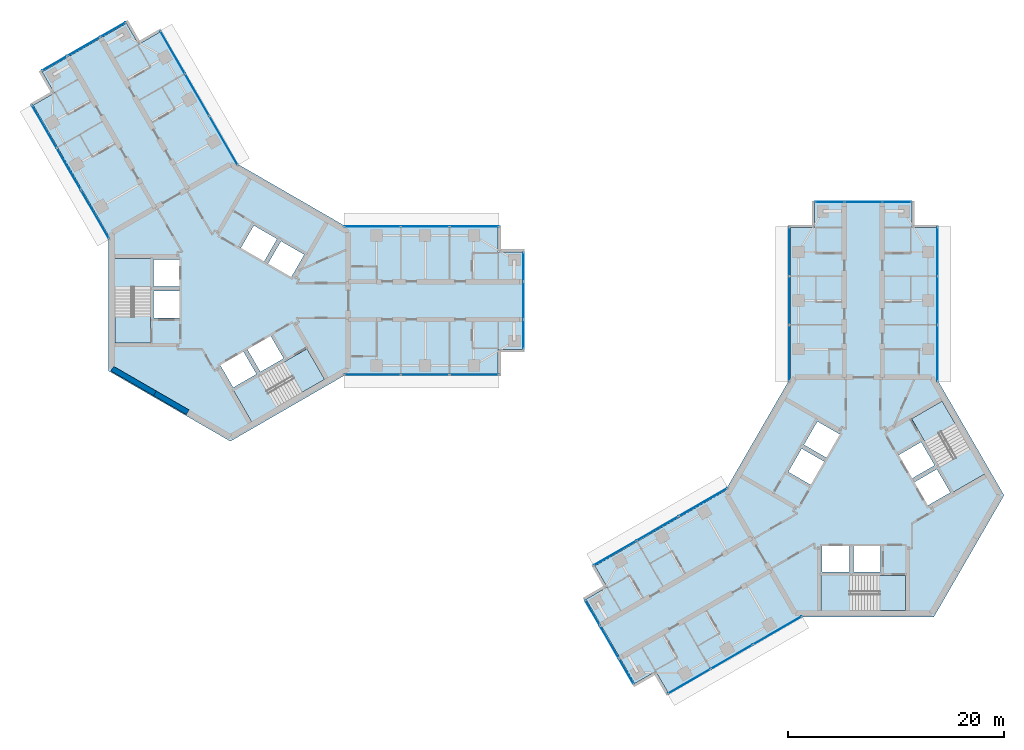
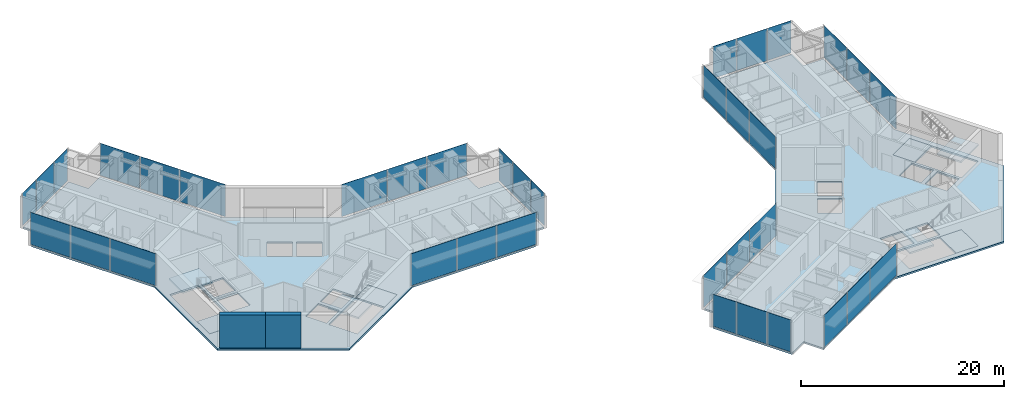
# One storey, part 10 of 18: 36 plates, 10 slabs, 2 walls, 16 elements without a shape of their own.
"""IFC4 building model written with IfcOpenShell, lengths in metres."""

import ifcopenshell
import ifcopenshell.guid

model = None  # the IFC model being written
_history = None  # IfcOwnerHistory: only IFC2X3 demands one
_inside = {}  # id of a spatial element -> (the spatial element, [elements in it])
_under = {}  # id of a project, library or spatial element -> (it, [spatial elements below it])
_declared = {}  # id of a project -> (the project, [libraries it declares])
_typed = {}  # id of a type object -> (the type object, [elements of that type])
_made_of = {}  # id of a material, layer set ... -> (it, [elements and type objects made of it])


def new_model(schema):
    """Start an empty IFC model of exactly this schema.

    Asked for "IFC4X3", IfcOpenShell would pick the latest addendum, in which some entities
    have other attributes; the version numbers below select the first issue.
    IFC2X3 requires an IfcOwnerHistory on every rooted entity: one is made here for all.
    """
    global model, _history
    if schema == "IFC4X3":
        model = ifcopenshell.file(schema_version=(4, 3, 0, 0))
    else:
        model = ifcopenshell.file(schema=schema)
    _inside.clear()
    _under.clear()
    _declared.clear()
    _typed.clear()
    _made_of.clear()
    _history = None
    if model.schema == "IFC2X3":
        org = make("IfcOrganization", Name="unknown")
        user = make(
            "IfcPersonAndOrganization",
            ThePerson=make("IfcPerson", FamilyName="unknown"),
            TheOrganization=org,
        )
        app = make(
            "IfcApplication",
            ApplicationDeveloper=org,
            Version="unknown",
            ApplicationFullName="unknown",
            ApplicationIdentifier="unknown",
        )
        _history = make(
            "IfcOwnerHistory",
            OwningUser=user,
            OwningApplication=app,
            ChangeAction="ADDED",
            CreationDate=0,
        )
    return model


def make(cls, **values):
    """One entity of the class cls with the attributes given. An attribute that is None is left unset."""
    return model.create_entity(
        cls, **{name: value for name, value in values.items() if value is not None}
    )


def rooted(cls, **values):
    """An entity with a GlobalId (a new one), such as an element, a storey or a relation."""
    return make(cls, GlobalId=ifcopenshell.guid.new(), OwnerHistory=_history, **values)


def si_unit(unit_type, name, prefix=None):
    """IfcSIUnit, for example si_unit("LENGTHUNIT", "METRE", prefix="MILLI")."""
    return make("IfcSIUnit", UnitType=unit_type, Prefix=prefix, Name=name)


def assignment(units):
    """IfcUnitAssignment: the units of a project."""
    return None if units is None else make("IfcUnitAssignment", Units=units)


def point(xyz):
    """IfcCartesianPoint."""
    return None if xyz is None else make("IfcCartesianPoint", Coordinates=xyz)


def direction(xyz):
    """IfcDirection."""
    return None if xyz is None else make("IfcDirection", DirectionRatios=xyz)


def frame(location, z_axis=None, x_axis=None):
    """IfcAxis2Placement3D, a coordinate frame: its origin and axes. An axis left out is left unset."""
    return make(
        "IfcAxis2Placement3D",
        Location=point(location),
        Axis=direction(z_axis),
        RefDirection=direction(x_axis),
    )


def frame_2d(location, x_axis=None):
    """IfcAxis2Placement2D, a coordinate frame in the plane: its origin and x axis."""
    return make(
        "IfcAxis2Placement2D", Location=point(location), RefDirection=direction(x_axis)
    )


def origin():
    """The frame at (0, 0, 0) with its axes left unset."""
    return frame((0.0, 0.0, 0.0))


def origin_2d():
    """The frame at (0, 0) in the plane with its x axis left unset."""
    return frame_2d((0.0, 0.0))


def place(relative_to, where):
    """IfcLocalPlacement: puts the frame where relative to a parent placement (None: the world)."""
    return make(
        "IfcLocalPlacement", PlacementRelTo=relative_to, RelativePlacement=where
    )


def context(
    kind, dimensions, precision=None, world=None, true_north=None, identifier=None
):
    """IfcGeometricRepresentationContext, for example the 3D "Model" context."""
    return make(
        "IfcGeometricRepresentationContext",
        ContextIdentifier=identifier,
        ContextType=kind,
        CoordinateSpaceDimension=dimensions,
        Precision=precision,
        WorldCoordinateSystem=world,
        TrueNorth=true_north,
    )


def subcontext(parent, identifier, kind, view, scale=None):
    """IfcGeometricRepresentationSubContext, for example "Body" below "Model"."""
    return make(
        "IfcGeometricRepresentationSubContext",
        ContextIdentifier=identifier,
        ContextType=kind,
        ParentContext=parent,
        TargetScale=scale,
        TargetView=view,
    )


def project(units=None, contexts=None):
    """IfcProject with its units and contexts."""
    return rooted(
        "IfcProject",
        Name="project",
        RepresentationContexts=contexts,
        UnitsInContext=assignment(units),
    )


def spatial(cls, under=None, at=None, **own):
    """A site, building, storey or space (cls), placed at a placement, below another one or the project."""
    s = rooted(cls, ObjectPlacement=at, **own)
    if under is not None:
        _under.setdefault(under.id(), (under, []))[1].append(s)
    return s


def polyline(points):
    """IfcPolyline through the points."""
    return make("IfcPolyline", Points=[point(p) for p in points])


def profile(cls, at=None, kind="AREA", **sizes):
    """A parametric profile (cls). Its sizes go by their IFC names, for example OverallWidth=200.0."""
    return make(cls, ProfileType=kind, Position=at, **sizes)


def rectangle(**sizes):
    """IfcRectangleProfileDef."""
    return profile("IfcRectangleProfileDef", **sizes)


def outline(outer, holes=None, kind="AREA"):
    """IfcArbitraryClosedProfileDef: a profile drawn as a closed curve; with holes, ...WithVoids."""
    if holes is None:
        return make("IfcArbitraryClosedProfileDef", ProfileType=kind, OuterCurve=outer)
    return make(
        "IfcArbitraryProfileDefWithVoids",
        ProfileType=kind,
        OuterCurve=outer,
        InnerCurves=holes,
    )


def extrude(swept, where, along, depth):
    """IfcExtrudedAreaSolid: the profile swept, set in the frame where, extruded along a direction by depth."""
    return make(
        "IfcExtrudedAreaSolid",
        SweptArea=swept,
        Position=where,
        ExtrudedDirection=direction(along),
        Depth=depth,
    )


def shape(context_of_items, identifier, shape_type, items):
    """IfcShapeRepresentation: the items that make up one representation, for example the "Body"."""
    return make(
        "IfcShapeRepresentation",
        ContextOfItems=context_of_items,
        RepresentationIdentifier=identifier,
        RepresentationType=shape_type,
        Items=items,
    )


def material(Name=None, Category=None):
    """IfcMaterial."""
    return make("IfcMaterial", Name=Name, Category=Category)


def layer(
    of_material, thickness, ventilated=None, Name=None, Category=None, Priority=None
):
    """IfcMaterialLayer: one layer of a wall or slab, of a material (None: an air gap)."""
    return make(
        "IfcMaterialLayer",
        Material=of_material,
        LayerThickness=thickness,
        IsVentilated=ventilated,
        Name=Name,
        Category=Category,
        Priority=Priority,
    )


def layer_set(layers, Name=None):
    """IfcMaterialLayerSet."""
    return make("IfcMaterialLayerSet", MaterialLayers=layers, LayerSetName=Name)


def made_of(thing, what):
    """Note that an element or type object is made of a material, layer set ...; save() writes the relation."""
    if what is not None:
        _made_of.setdefault(what.id(), (what, []))[1].append(thing)
    return thing


def type_object(cls, material=None, **own):
    """A type object (cls), such as IfcWallType, which elements share."""
    return made_of(rooted(cls, **own), material)


def element(
    cls,
    number,
    at=None,
    inside=None,
    cuts=None,
    type_object=None,
    material=None,
    context=None,
    identifier="Body",
    shape_type=None,
    held_by="IfcProductDefinitionShape",
    body=None,
    shapes=None,
    **own,
):
    """One element of the class cls, such as IfcWall. Its Tag is "e" and its number.

    at: its placement. inside: the storey or other place that contains it. cuts: it is an
    opening in that element (IfcRelVoidsElement). A single representation is given by context,
    identifier, shape_type and body (its items); several are given by shapes. held_by: the class
    of the entity that holds the representations. save() writes the other relations.
    """
    e = rooted(cls, Tag="e%d" % number, ObjectPlacement=at, **own)
    if body is not None:
        shapes = [shape(context, identifier, shape_type, body)]
    if shapes is not None:
        e.Representation = make(held_by, Representations=shapes)
    if inside is not None:
        _inside.setdefault(inside.id(), (inside, []))[1].append(e)
    if cuts is not None:
        rooted(
            "IfcRelVoidsElement", RelatingBuildingElement=cuts, RelatedOpeningElement=e
        )
    if type_object is not None:
        _typed.setdefault(type_object.id(), (type_object, []))[1].append(e)
    return made_of(e, material)


def aggregate(whole, parts):
    """IfcRelAggregates: a whole, such as a stair, and the parts it consists of."""
    return rooted("IfcRelAggregates", RelatingObject=whole, RelatedObjects=parts)


def save(model, path):
    """Write the relations noted so far, then the file.

    IfcRelAggregates (storeys below a building ...), IfcRelContainedInSpatialStructure (elements
    in a storey), IfcRelDefinesByType, IfcRelAssociatesMaterial and IfcRelDeclares: one each for
    every whole, place, type object, material and project.
    """
    for whole, parts in _under.values():
        aggregate(whole, parts)
    for where, things in _inside.values():
        rooted(
            "IfcRelContainedInSpatialStructure",
            RelatedElements=things,
            RelatingStructure=where,
        )
    for kind, things in _typed.values():
        rooted("IfcRelDefinesByType", RelatedObjects=things, RelatingType=kind)
    for what, things in _made_of.values():
        rooted("IfcRelAssociatesMaterial", RelatedObjects=things, RelatingMaterial=what)
    for by, libraries in _declared.values():
        rooted("IfcRelDeclares", RelatingContext=by, RelatedDefinitions=libraries)
    model.write(path)


model = new_model("IFC4")

# Units and contexts
model_context = context("Model", 3, precision=1e-05, world=origin(), true_north=direction((0.0, 1.0)))
body_context = subcontext(model_context, "Body", "Model", "MODEL_VIEW")
ifc_project = project(units=[si_unit("LENGTHUNIT", "METRE"), si_unit("AREAUNIT", "SQUARE_METRE"), si_unit("VOLUMEUNIT", "CUBIC_METRE"), si_unit("PLANEANGLEUNIT", "RADIAN"), si_unit("MASSUNIT", "GRAM", prefix="KILO")], contexts=[model_context])

# Site, building, storey
site_placement = place(None, origin())
site = spatial("IfcSite", under=ifc_project, at=site_placement, CompositionType="ELEMENT")
building_placement = place(site_placement, origin())
building = spatial("IfcBuilding", under=site, at=building_placement, Name="Upepo Twin Towers", CompositionType="ELEMENT")
storey_placement = place(building_placement, frame((0.0, 0.0, 218.5)))
storey = spatial("IfcBuildingStorey", under=building, at=storey_placement, Name="L53", CompositionType="ELEMENT", Elevation=218.5)

# Curtain wall, plates
ifc_material_1 = material(Name="Aluminium and fritted glass", Category="aluminium")
curtain_wall_type = type_object("IfcCurtainWallType", Name="Tower curtain wall TW3, fritted glass", PredefinedType="NOTDEFINED", material=ifc_material_1)
curtain_wall_1_placement = place(storey_placement, origin())
curtain_wall_1 = element("IfcCurtainWall", 1, at=curtain_wall_1_placement, inside=storey, type_object=curtain_wall_type, Name="T1 L53 wing A flank L curtain wall", PredefinedType="NOTDEFINED")
ifc_material_2 = material(Name="Ceramic-fritted laminated glass", Category="glass")
ifc_layer_1 = layer(ifc_material_2, 0.031982421875)
ifc_layer_set_1 = layer_set([ifc_layer_1], Name="Fritted glass panel, 60 per cent dot frit, 32 mm double glazed")
plate_type_1 = type_object("IfcPlateType", Name="Fritted glass panel, 60 per cent dot frit, 32 mm double glazed", PredefinedType="CURTAIN_PANEL", material=ifc_layer_set_1)
plate_1_placement = place(storey_placement, frame((13.134765625, 6.85009765625, 0.14990234375), z_axis=(0.0, 0.0, 1.0), x_axis=(1.0, 0.0, 0.0)))
plate_1 = element("IfcPlate", 2, at=plate_1_placement, type_object=plate_type_1, Name="T1 L53 wing A flank L curtain wall panel 1", PredefinedType="CURTAIN_PANEL", context=body_context, shape_type="SweptSolid", body=[
    extrude(rectangle(XDim=5.165283203125, YDim=0.031982421875, at=origin_2d()), origin(), (0.0, 0.0, 1.0), 3.85009765625),
])
plate_2_placement = place(storey_placement, frame((18.0, 6.85009765625, 0.14990234375), z_axis=(0.0, 0.0, 1.0), x_axis=(1.0, 0.0, 0.0)))
plate_2 = element("IfcPlate", 3, at=plate_2_placement, type_object=plate_type_1, Name="T1 L53 wing A flank L curtain wall panel 2", PredefinedType="CURTAIN_PANEL", context=body_context, shape_type="SweptSolid", body=[
    extrude(rectangle(XDim=4.43505859375, YDim=0.031982421875, at=origin_2d()), origin(), (0.0, 0.0, 1.0), 3.85009765625),
])
plate_3_placement = place(storey_placement, frame((22.53369140625, 6.85009765625, 0.14990234375), z_axis=(0.0, 0.0, 1.0), x_axis=(1.0, 0.0, 0.0)))
plate_3 = element("IfcPlate", 4, at=plate_3_placement, type_object=plate_type_1, Name="T1 L53 wing A flank L curtain wall panel 3", PredefinedType="CURTAIN_PANEL", context=body_context, shape_type="SweptSolid", body=[
    extrude(rectangle(XDim=4.50244140625, YDim=0.031982421875, at=origin_2d()), origin(), (0.0, 0.0, 1.0), 3.85009765625),
])
aggregate(curtain_wall_1, [plate_1, plate_2, plate_3])

curtain_wall_2_placement = place(storey_placement, origin())
curtain_wall_2 = element("IfcCurtainWall", 5, at=curtain_wall_2_placement, inside=storey, type_object=curtain_wall_type, Name="T1 L53 wing A flank R curtain wall", PredefinedType="NOTDEFINED")
plate_4_placement = place(storey_placement, frame((22.53369140625, -6.85009765625, 0.14990234375), z_axis=(0.0, 0.0, 1.0), x_axis=(-1.0, 0.0, 0.0)))
plate_4 = element("IfcPlate", 6, at=plate_4_placement, type_object=plate_type_1, Name="T1 L53 wing A flank R curtain wall panel 1", PredefinedType="CURTAIN_PANEL", context=body_context, shape_type="SweptSolid", body=[
    extrude(rectangle(XDim=4.50244140625, YDim=0.031982421875, at=origin_2d()), origin(), (0.0, 0.0, 1.0), 3.85009765625),
])
plate_5_placement = place(storey_placement, frame((18.0, -6.85009765625, 0.14990234375), z_axis=(0.0, 0.0, 1.0), x_axis=(-1.0, 0.0, 0.0)))
plate_5 = element("IfcPlate", 7, at=plate_5_placement, type_object=plate_type_1, Name="T1 L53 wing A flank R curtain wall panel 2", PredefinedType="CURTAIN_PANEL", context=body_context, shape_type="SweptSolid", body=[
    extrude(rectangle(XDim=4.43505859375, YDim=0.031982421875, at=origin_2d()), origin(), (0.0, 0.0, 1.0), 3.85009765625),
])
plate_6_placement = place(storey_placement, frame((13.134765625, -6.85009765625, 0.14990234375), z_axis=(0.0, 0.0, 1.0), x_axis=(-1.0, 0.0, 0.0)))
plate_6 = element("IfcPlate", 8, at=plate_6_placement, type_object=plate_type_1, Name="T1 L53 wing A flank R curtain wall panel 3", PredefinedType="CURTAIN_PANEL", context=body_context, shape_type="SweptSolid", body=[
    extrude(rectangle(XDim=5.165283203125, YDim=0.031982421875, at=origin_2d()), origin(), (0.0, 0.0, 1.0), 3.85009765625),
])
aggregate(curtain_wall_2, [plate_4, plate_5, plate_6])

# Curtain wall, plate
curtain_wall_3_placement = place(storey_placement, origin())
curtain_wall_3 = element("IfcCurtainWall", 9, at=curtain_wall_3_placement, inside=storey, type_object=curtain_wall_type, Name="T1 L53 wing A nose curtain wall", PredefinedType="NOTDEFINED")
plate_7_placement = place(storey_placement, frame((27.10009765625, 0.0, 0.14990234375), z_axis=(0.0, 0.0, 1.0), x_axis=(0.0, 1.0, 0.0)))
plate_7 = element("IfcPlate", 10, at=plate_7_placement, type_object=plate_type_1, Name="T1 L53 wing A nose curtain wall panel 2", PredefinedType="CURTAIN_PANEL", context=body_context, shape_type="SweptSolid", body=[
    extrude(rectangle(XDim=3.43505859375, YDim=0.031982421875, at=origin_2d()), origin(), (0.0, 0.0, 1.0), 3.85009765625),
])

# Curtain wall, plates
curtain_wall_4_placement = place(storey_placement, origin())
curtain_wall_4 = element("IfcCurtainWall", 11, at=curtain_wall_4_placement, inside=storey, type_object=curtain_wall_type, Name="T1 L53 wing B flank L curtain wall", PredefinedType="NOTDEFINED")
plate_8_placement = place(storey_placement, frame((-12.499755859375, 7.9501953125, 0.14990234375), z_axis=(0.0, 0.0, 1.0), x_axis=(-0.500000026527, 0.866025388469, 0.0)))
plate_8 = element("IfcPlate", 12, at=plate_8_placement, type_object=plate_type_1, Name="T1 L53 wing B flank L curtain wall panel 1", PredefinedType="CURTAIN_PANEL", context=body_context, shape_type="SweptSolid", body=[
    extrude(rectangle(XDim=5.165283203125, YDim=0.031982421875, at=origin_2d()), origin(), (0.0, 0.0, 1.0), 3.85009765625),
])
plate_9_placement = place(storey_placement, frame((-14.932373046875, 12.16357421875, 0.14990234375), z_axis=(0.0, 0.0, 1.0), x_axis=(-0.500000026527, 0.866025388469, 0.0)))
plate_9 = element("IfcPlate", 13, at=plate_9_placement, type_object=plate_type_1, Name="T1 L53 wing B flank L curtain wall panel 2", PredefinedType="CURTAIN_PANEL", context=body_context, shape_type="SweptSolid", body=[
    extrude(rectangle(XDim=4.43505859375, YDim=0.031982421875, at=origin_2d()), origin(), (0.0, 0.0, 1.0), 3.85009765625),
])
plate_10_placement = place(storey_placement, frame((-17.19921875, 16.08984375, 0.14990234375), z_axis=(0.0, 0.0, 1.0), x_axis=(-0.500000026527, 0.866025388469, 0.0)))
plate_10 = element("IfcPlate", 14, at=plate_10_placement, type_object=plate_type_1, Name="T1 L53 wing B flank L curtain wall panel 3", PredefinedType="CURTAIN_PANEL", context=body_context, shape_type="SweptSolid", body=[
    extrude(rectangle(XDim=4.50244140625, YDim=0.031982421875, at=origin_2d()), origin(), (0.0, 0.0, 1.0), 3.85009765625),
])
aggregate(curtain_wall_4, [plate_8, plate_9, plate_10])

curtain_wall_5_placement = place(storey_placement, origin())
curtain_wall_5 = element("IfcCurtainWall", 15, at=curtain_wall_5_placement, inside=storey, type_object=curtain_wall_type, Name="T1 L53 wing B flank R curtain wall", PredefinedType="NOTDEFINED")
plate_11_placement = place(storey_placement, frame((-5.334716796875, 22.939697265625, 0.14990234375), z_axis=(0.0, 0.0, 1.0), x_axis=(0.500000026527, -0.866025388469, 0.0)))
plate_11 = element("IfcPlate", 16, at=plate_11_placement, type_object=plate_type_1, Name="T1 L53 wing B flank R curtain wall panel 1", PredefinedType="CURTAIN_PANEL", context=body_context, shape_type="SweptSolid", body=[
    extrude(rectangle(XDim=4.50244140625, YDim=0.031982421875, at=origin_2d()), origin(), (0.0, 0.0, 1.0), 3.85009765625),
])
plate_12_placement = place(storey_placement, frame((-3.067626953125, 19.013427734375, 0.14990234375), z_axis=(0.0, 0.0, 1.0), x_axis=(0.500000026527, -0.866025388469, 0.0)))
plate_12 = element("IfcPlate", 17, at=plate_12_placement, type_object=plate_type_1, Name="T1 L53 wing B flank R curtain wall panel 2", PredefinedType="CURTAIN_PANEL", context=body_context, shape_type="SweptSolid", body=[
    extrude(rectangle(XDim=4.43505859375, YDim=0.031982421875, at=origin_2d()), origin(), (0.0, 0.0, 1.0), 3.85009765625),
])
plate_13_placement = place(storey_placement, frame((-0.635009765625, 14.800048828125, 0.14990234375), z_axis=(0.0, 0.0, 1.0), x_axis=(0.500000026527, -0.866025388469, 0.0)))
plate_13 = element("IfcPlate", 18, at=plate_13_placement, type_object=plate_type_1, Name="T1 L53 wing B flank R curtain wall panel 3", PredefinedType="CURTAIN_PANEL", context=body_context, shape_type="SweptSolid", body=[
    extrude(rectangle(XDim=5.165283203125, YDim=0.031982421875, at=origin_2d()), origin(), (0.0, 0.0, 1.0), 3.85009765625),
])
aggregate(curtain_wall_5, [plate_11, plate_12, plate_13])

# Curtain wall, plate
curtain_wall_6_placement = place(storey_placement, origin())
curtain_wall_6 = element("IfcCurtainWall", 19, at=curtain_wall_6_placement, inside=storey, type_object=curtain_wall_type, Name="T1 L53 wing B nose curtain wall", PredefinedType="NOTDEFINED")
plate_14_placement = place(storey_placement, frame((-13.550048828125, 23.46923828125, 0.14990234375), z_axis=(0.0, 0.0, 1.0), x_axis=(-0.866025386174, -0.500000030502, 0.0)))
plate_14 = element("IfcPlate", 20, at=plate_14_placement, type_object=plate_type_1, Name="T1 L53 wing B nose curtain wall panel 2", PredefinedType="CURTAIN_PANEL", context=body_context, shape_type="SweptSolid", body=[
    extrude(rectangle(XDim=3.43505859375, YDim=0.031982421875, at=origin_2d()), origin(), (0.0, 0.0, 1.0), 3.85009765625),
])

# Curtain wall, plates
curtain_wall_7_placement = place(storey_placement, origin())
curtain_wall_7 = element("IfcCurtainWall", 21, at=curtain_wall_7_placement, inside=storey, type_object=curtain_wall_type, Name="T2 L53 wing A flank L curtain wall", PredefinedType="NOTDEFINED")
plate_15_placement = place(storey_placement, frame((51.64990234375, -4.865234375, 0.14990234375), z_axis=(0.0, 0.0, 1.0), x_axis=(0.0, 1.0, 0.0)))
plate_15 = element("IfcPlate", 22, at=plate_15_placement, type_object=plate_type_1, Name="T2 L53 wing A flank L curtain wall panel 1", PredefinedType="CURTAIN_PANEL", context=body_context, shape_type="SweptSolid", body=[
    extrude(rectangle(XDim=5.165283203125, YDim=0.031982421875, at=origin_2d()), origin(), (0.0, 0.0, 1.0), 3.85009765625),
])
plate_16_placement = place(storey_placement, frame((51.64990234375, 0.0, 0.14990234375), z_axis=(0.0, 0.0, 1.0), x_axis=(0.0, 1.0, 0.0)))
plate_16 = element("IfcPlate", 23, at=plate_16_placement, type_object=plate_type_1, Name="T2 L53 wing A flank L curtain wall panel 2", PredefinedType="CURTAIN_PANEL", context=body_context, shape_type="SweptSolid", body=[
    extrude(rectangle(XDim=4.43505859375, YDim=0.031982421875, at=origin_2d()), origin(), (0.0, 0.0, 1.0), 3.85009765625),
])
plate_17_placement = place(storey_placement, frame((51.64990234375, 4.53369140625, 0.14990234375), z_axis=(0.0, 0.0, 1.0), x_axis=(0.0, 1.0, 0.0)))
plate_17 = element("IfcPlate", 24, at=plate_17_placement, type_object=plate_type_1, Name="T2 L53 wing A flank L curtain wall panel 3", PredefinedType="CURTAIN_PANEL", context=body_context, shape_type="SweptSolid", body=[
    extrude(rectangle(XDim=4.50244140625, YDim=0.031982421875, at=origin_2d()), origin(), (0.0, 0.0, 1.0), 3.85009765625),
])
aggregate(curtain_wall_7, [plate_15, plate_16, plate_17])

curtain_wall_8_placement = place(storey_placement, origin())
curtain_wall_8 = element("IfcCurtainWall", 25, at=curtain_wall_8_placement, inside=storey, type_object=curtain_wall_type, Name="T2 L53 wing A flank R curtain wall", PredefinedType="NOTDEFINED")
plate_18_placement = place(storey_placement, frame((65.35009765625, 4.53369140625, 0.14990234375), z_axis=(0.0, 0.0, 1.0), x_axis=(0.0, -1.0, 0.0)))
plate_18 = element("IfcPlate", 26, at=plate_18_placement, type_object=plate_type_1, Name="T2 L53 wing A flank R curtain wall panel 1", PredefinedType="CURTAIN_PANEL", context=body_context, shape_type="SweptSolid", body=[
    extrude(rectangle(XDim=4.50244140625, YDim=0.031982421875, at=origin_2d()), origin(), (0.0, 0.0, 1.0), 3.85009765625),
])
plate_19_placement = place(storey_placement, frame((65.35009765625, 0.0, 0.14990234375), z_axis=(0.0, 0.0, 1.0), x_axis=(0.0, -1.0, 0.0)))
plate_19 = element("IfcPlate", 27, at=plate_19_placement, type_object=plate_type_1, Name="T2 L53 wing A flank R curtain wall panel 2", PredefinedType="CURTAIN_PANEL", context=body_context, shape_type="SweptSolid", body=[
    extrude(rectangle(XDim=4.43505859375, YDim=0.031982421875, at=origin_2d()), origin(), (0.0, 0.0, 1.0), 3.85009765625),
])
plate_20_placement = place(storey_placement, frame((65.35009765625, -4.865234375, 0.14990234375), z_axis=(0.0, 0.0, 1.0), x_axis=(0.0, -1.0, 0.0)))
plate_20 = element("IfcPlate", 28, at=plate_20_placement, type_object=plate_type_1, Name="T2 L53 wing A flank R curtain wall panel 3", PredefinedType="CURTAIN_PANEL", context=body_context, shape_type="SweptSolid", body=[
    extrude(rectangle(XDim=5.165283203125, YDim=0.031982421875, at=origin_2d()), origin(), (0.0, 0.0, 1.0), 3.85009765625),
])
aggregate(curtain_wall_8, [plate_18, plate_19, plate_20])

# Curtain wall, plate
curtain_wall_9_placement = place(storey_placement, origin())
curtain_wall_9 = element("IfcCurtainWall", 29, at=curtain_wall_9_placement, inside=storey, type_object=curtain_wall_type, Name="T2 L53 wing A nose curtain wall", PredefinedType="NOTDEFINED")
plate_21_placement = place(storey_placement, frame((58.5, 9.10009765625, 0.14990234375), z_axis=(0.0, 0.0, 1.0), x_axis=(-1.0, 0.0, 0.0)))
plate_21 = element("IfcPlate", 30, at=plate_21_placement, type_object=plate_type_1, Name="T2 L53 wing A nose curtain wall panel 2", PredefinedType="CURTAIN_PANEL", context=body_context, shape_type="SweptSolid", body=[
    extrude(rectangle(XDim=3.43505859375, YDim=0.031982421875, at=origin_2d()), origin(), (0.0, 0.0, 1.0), 3.85009765625),
])

# Curtain wall, plates
curtain_wall_10_placement = place(storey_placement, origin())
curtain_wall_10 = element("IfcCurtainWall", 31, at=curtain_wall_10_placement, inside=storey, type_object=curtain_wall_type, Name="T2 L53 wing B flank L curtain wall", PredefinedType="NOTDEFINED")
plate_22_placement = place(storey_placement, frame((50.5498046875, -30.499755859375, 0.14990234375), z_axis=(0.0, 0.0, 1.0), x_axis=(-0.866025388469, -0.500000026527, 0.0)))
plate_22 = element("IfcPlate", 32, at=plate_22_placement, type_object=plate_type_1, Name="T2 L53 wing B flank L curtain wall panel 1", PredefinedType="CURTAIN_PANEL", context=body_context, shape_type="SweptSolid", body=[
    extrude(rectangle(XDim=5.165283203125, YDim=0.031982421875, at=origin_2d()), origin(), (0.0, 0.0, 1.0), 3.85009765625),
])
plate_23_placement = place(storey_placement, frame((46.33642578125, -32.932373046875, 0.14990234375), z_axis=(0.0, 0.0, 1.0), x_axis=(-0.866025388469, -0.500000026527, 0.0)))
plate_23 = element("IfcPlate", 33, at=plate_23_placement, type_object=plate_type_1, Name="T2 L53 wing B flank L curtain wall panel 2", PredefinedType="CURTAIN_PANEL", context=body_context, shape_type="SweptSolid", body=[
    extrude(rectangle(XDim=4.43505859375, YDim=0.031982421875, at=origin_2d()), origin(), (0.0, 0.0, 1.0), 3.85009765625),
])
plate_24_placement = place(storey_placement, frame((42.41015625, -35.19921875, 0.14990234375), z_axis=(0.0, 0.0, 1.0), x_axis=(-0.866025388469, -0.500000026527, 0.0)))
plate_24 = element("IfcPlate", 34, at=plate_24_placement, type_object=plate_type_1, Name="T2 L53 wing B flank L curtain wall panel 3", PredefinedType="CURTAIN_PANEL", context=body_context, shape_type="SweptSolid", body=[
    extrude(rectangle(XDim=4.50244140625, YDim=0.031982421875, at=origin_2d()), origin(), (0.0, 0.0, 1.0), 3.85009765625),
])
aggregate(curtain_wall_10, [plate_22, plate_23, plate_24])

curtain_wall_11_placement = place(storey_placement, origin())
curtain_wall_11 = element("IfcCurtainWall", 35, at=curtain_wall_11_placement, inside=storey, type_object=curtain_wall_type, Name="T2 L53 wing B flank R curtain wall", PredefinedType="NOTDEFINED")
plate_25_placement = place(storey_placement, frame((35.560302734375, -23.334716796875, 0.14990234375), z_axis=(0.0, 0.0, 1.0), x_axis=(0.866025388469, 0.500000026527, 0.0)))
plate_25 = element("IfcPlate", 36, at=plate_25_placement, type_object=plate_type_1, Name="T2 L53 wing B flank R curtain wall panel 1", PredefinedType="CURTAIN_PANEL", context=body_context, shape_type="SweptSolid", body=[
    extrude(rectangle(XDim=4.50244140625, YDim=0.031982421875, at=origin_2d()), origin(), (0.0, 0.0, 1.0), 3.85009765625),
])
plate_26_placement = place(storey_placement, frame((39.486572265625, -21.067626953125, 0.14990234375), z_axis=(0.0, 0.0, 1.0), x_axis=(0.866025388469, 0.500000026527, 0.0)))
plate_26 = element("IfcPlate", 37, at=plate_26_placement, type_object=plate_type_1, Name="T2 L53 wing B flank R curtain wall panel 2", PredefinedType="CURTAIN_PANEL", context=body_context, shape_type="SweptSolid", body=[
    extrude(rectangle(XDim=4.43505859375, YDim=0.031982421875, at=origin_2d()), origin(), (0.0, 0.0, 1.0), 3.85009765625),
])
plate_27_placement = place(storey_placement, frame((43.699951171875, -18.635009765625, 0.14990234375), z_axis=(0.0, 0.0, 1.0), x_axis=(0.866025388469, 0.500000026527, 0.0)))
plate_27 = element("IfcPlate", 38, at=plate_27_placement, type_object=plate_type_1, Name="T2 L53 wing B flank R curtain wall panel 3", PredefinedType="CURTAIN_PANEL", context=body_context, shape_type="SweptSolid", body=[
    extrude(rectangle(XDim=5.165283203125, YDim=0.031982421875, at=origin_2d()), origin(), (0.0, 0.0, 1.0), 3.85009765625),
])
aggregate(curtain_wall_11, [plate_25, plate_26, plate_27])

# Curtain wall, plate
curtain_wall_12_placement = place(storey_placement, origin())
curtain_wall_12 = element("IfcCurtainWall", 39, at=curtain_wall_12_placement, inside=storey, type_object=curtain_wall_type, Name="T2 L53 wing B nose curtain wall", PredefinedType="NOTDEFINED")
plate_28_placement = place(storey_placement, frame((35.03076171875, -31.550048828125, 0.14990234375), z_axis=(0.0, 0.0, 1.0), x_axis=(0.500000030502, -0.866025386174, 0.0)))
plate_28 = element("IfcPlate", 40, at=plate_28_placement, type_object=plate_type_1, Name="T2 L53 wing B nose curtain wall panel 2", PredefinedType="CURTAIN_PANEL", context=body_context, shape_type="SweptSolid", body=[
    extrude(rectangle(XDim=3.43505859375, YDim=0.031982421875, at=origin_2d()), origin(), (0.0, 0.0, 1.0), 3.85009765625),
])

# Plate
ifc_material_3 = material(Name="Clear laminated glass in opening sash", Category="glass")
ifc_layer_2 = layer(ifc_material_3, 0.031982421875)
ifc_layer_set_2 = layer_set([ifc_layer_2], Name="Operable glass panel, 32 mm double glazed")
plate_type_2 = type_object("IfcPlateType", Name="Operable glass panel, 32 mm double glazed", PredefinedType="CURTAIN_PANEL", material=ifc_layer_set_2)
plate_29_placement = place(storey_placement, frame((27.10009765625, -3.108642578125, 0.14990234375), z_axis=(0.0, 0.0, 1.0), x_axis=(0.0, 1.0, 0.0)))
plate_29 = element("IfcPlate", 41, at=plate_29_placement, type_object=plate_type_2, Name="T1 L53 wing A nose curtain wall panel 1", PredefinedType="CURTAIN_PANEL", context=body_context, shape_type="SweptSolid", body=[
    extrude(rectangle(XDim=2.652587890625, YDim=0.031982421875, at=origin_2d()), origin(), (0.0, 0.0, 1.0), 3.85009765625),
])

plate_30_placement = place(storey_placement, frame((27.10009765625, 3.108642578125, 0.14990234375), z_axis=(0.0, 0.0, 1.0), x_axis=(0.0, 1.0, 0.0)))
plate_30 = element("IfcPlate", 42, at=plate_30_placement, type_object=plate_type_2, Name="T1 L53 wing A nose curtain wall panel 3", PredefinedType="CURTAIN_PANEL", context=body_context, shape_type="SweptSolid", body=[
    extrude(rectangle(XDim=2.652587890625, YDim=0.031982421875, at=origin_2d()), origin(), (0.0, 0.0, 1.0), 3.85009765625),
])

aggregate(curtain_wall_3, [plate_29, plate_7, plate_30])

plate_31_placement = place(storey_placement, frame((-10.857666015625, 25.023681640625, 0.14990234375), z_axis=(0.0, 0.0, 1.0), x_axis=(-0.866025386174, -0.500000030502, 0.0)))
plate_31 = element("IfcPlate", 43, at=plate_31_placement, type_object=plate_type_2, Name="T1 L53 wing B nose curtain wall panel 1", PredefinedType="CURTAIN_PANEL", context=body_context, shape_type="SweptSolid", body=[
    extrude(rectangle(XDim=2.652587890625, YDim=0.031982421875, at=origin_2d()), origin(), (0.0, 0.0, 1.0), 3.85009765625),
])

plate_32_placement = place(storey_placement, frame((-16.2421875, 21.914794921875, 0.14990234375), z_axis=(0.0, 0.0, 1.0), x_axis=(-0.866025386174, -0.500000030502, 0.0)))
plate_32 = element("IfcPlate", 44, at=plate_32_placement, type_object=plate_type_2, Name="T1 L53 wing B nose curtain wall panel 3", PredefinedType="CURTAIN_PANEL", context=body_context, shape_type="SweptSolid", body=[
    extrude(rectangle(XDim=2.652587890625, YDim=0.031982421875, at=origin_2d()), origin(), (0.0, 0.0, 1.0), 3.85009765625),
])

aggregate(curtain_wall_6, [plate_31, plate_14, plate_32])

plate_33_placement = place(storey_placement, frame((61.608642578125, 9.10009765625, 0.14990234375), z_axis=(0.0, 0.0, 1.0), x_axis=(-1.0, 0.0, 0.0)))
plate_33 = element("IfcPlate", 45, at=plate_33_placement, type_object=plate_type_2, Name="T2 L53 wing A nose curtain wall panel 1", PredefinedType="CURTAIN_PANEL", context=body_context, shape_type="SweptSolid", body=[
    extrude(rectangle(XDim=2.652587890625, YDim=0.031982421875, at=origin_2d()), origin(), (0.0, 0.0, 1.0), 3.85009765625),
])

plate_34_placement = place(storey_placement, frame((55.391357421875, 9.10009765625, 0.14990234375), z_axis=(0.0, 0.0, 1.0), x_axis=(-1.0, 0.0, 0.0)))
plate_34 = element("IfcPlate", 46, at=plate_34_placement, type_object=plate_type_2, Name="T2 L53 wing A nose curtain wall panel 3", PredefinedType="CURTAIN_PANEL", context=body_context, shape_type="SweptSolid", body=[
    extrude(rectangle(XDim=2.652587890625, YDim=0.031982421875, at=origin_2d()), origin(), (0.0, 0.0, 1.0), 3.85009765625),
])

aggregate(curtain_wall_9, [plate_33, plate_21, plate_34])

plate_35_placement = place(storey_placement, frame((33.476318359375, -28.857666015625, 0.14990234375), z_axis=(0.0, 0.0, 1.0), x_axis=(0.500000030502, -0.866025386174, 0.0)))
plate_35 = element("IfcPlate", 47, at=plate_35_placement, type_object=plate_type_2, Name="T2 L53 wing B nose curtain wall panel 1", PredefinedType="CURTAIN_PANEL", context=body_context, shape_type="SweptSolid", body=[
    extrude(rectangle(XDim=2.652587890625, YDim=0.031982421875, at=origin_2d()), origin(), (0.0, 0.0, 1.0), 3.85009765625),
])

plate_36_placement = place(storey_placement, frame((36.585205078125, -34.2421875, 0.14990234375), z_axis=(0.0, 0.0, 1.0), x_axis=(0.500000030502, -0.866025386174, 0.0)))
plate_36 = element("IfcPlate", 48, at=plate_36_placement, type_object=plate_type_2, Name="T2 L53 wing B nose curtain wall panel 3", PredefinedType="CURTAIN_PANEL", context=body_context, shape_type="SweptSolid", body=[
    extrude(rectangle(XDim=2.652587890625, YDim=0.031982421875, at=origin_2d()), origin(), (0.0, 0.0, 1.0), 3.85009765625),
])

aggregate(curtain_wall_12, [plate_35, plate_28, plate_36])

# Stair, slabs
ifc_material_4 = material(Name="Concrete C40/50", Category="concrete")
stair_type = type_object("IfcStairType", Name="Core stair, two flights", PredefinedType="HALF_TURN_STAIR", material=ifc_material_4)
stair_1_placement = place(storey_placement, origin())
stair_1 = element("IfcStair", 49, at=stair_1_placement, inside=storey, type_object=stair_type, Name="T1 stair S1 L53", PredefinedType="HALF_TURN_STAIR")
ifc_material_5 = material(Name="Concrete C40/50", Category="concrete")
ifc_layer_3 = layer(ifc_material_5, 0.199951171875)
ifc_layer_set_3 = layer_set([ifc_layer_3], Name="Concrete C40/50")
slab_type_1 = type_object("IfcSlabType", Name="Stair landing 200 RC", PredefinedType="LANDING", material=ifc_layer_set_3)
slab_1_placement = place(storey_placement, frame((0.0, 0.0, -0.199951171875)))
slab_1 = element("IfcSlab", 50, at=slab_1_placement, type_object=slab_type_1, Name="Stair S1 landing 1", PredefinedType="LANDING", context=body_context, shape_type="SweptSolid", body=[
    extrude(outline(polyline([(-7.39990234375, -1.419921875), (-10.658447265625, -1.419921875), (-10.658447265625, -3.89990234375), (-7.39990234375, -3.89990234375), (-7.39990234375, -1.419921875)])), origin(), (0.0, 0.0, 1.0), 0.199951171875),
])
slab_2_placement = place(storey_placement, frame((0.0, 0.0, 1.800048828125)))
slab_2 = element("IfcSlab", 51, at=slab_2_placement, type_object=slab_type_1, Name="Stair S1 landing 2", PredefinedType="LANDING", context=body_context, shape_type="SweptSolid", body=[
    extrude(outline(polyline([(-7.300048828125, 3.89990234375), (-10.75830078125, 3.89990234375), (-10.75830078125, 1.179931640625), (-7.300048828125, 1.179931640625), (-7.300048828125, 3.89990234375)])), origin(), (0.0, 0.0, 1.0), 0.199951171875),
])
aggregate(stair_1, [slab_1, slab_2])

stair_2_placement = place(storey_placement, origin())
stair_2 = element("IfcStair", 52, at=stair_2_placement, inside=storey, type_object=stair_type, Name="T1 stair S2 L53", PredefinedType="HALF_TURN_STAIR")
slab_3_placement = place(storey_placement, frame((0.0, 0.0, -0.199951171875)))
slab_3 = element("IfcSlab", 53, at=slab_3_placement, type_object=slab_type_1, Name="Stair S2 landing 1", PredefinedType="LANDING", context=body_context, shape_type="SweptSolid", body=[
    extrude(outline(polyline([(4.9296875, -5.698486328125), (6.558837890625, -8.520263671875), (8.70654296875, -7.2802734375), (7.077392578125, -4.45849609375), (4.9296875, -5.698486328125)])), origin(), (0.0, 0.0, 1.0), 0.199951171875),
])
slab_4_placement = place(storey_placement, frame((0.0, 0.0, 1.800048828125)))
slab_4 = element("IfcSlab", 54, at=slab_4_placement, type_object=slab_type_1, Name="Stair S2 landing 2", PredefinedType="LANDING", context=body_context, shape_type="SweptSolid", body=[
    extrude(outline(polyline([(0.2724609375, -8.27197265625), (2.001708984375, -11.26708984375), (4.357177734375, -9.906982421875), (2.628173828125, -6.911865234375), (0.2724609375, -8.27197265625)])), origin(), (0.0, 0.0, 1.0), 0.199951171875),
])
aggregate(stair_2, [slab_3, slab_4])

stair_3_placement = place(storey_placement, origin())
stair_3 = element("IfcStair", 55, at=stair_3_placement, inside=storey, type_object=stair_type, Name="T2 stair S1 L53", PredefinedType="HALF_TURN_STAIR")
slab_5_placement = place(storey_placement, frame((0.0, 0.0, -0.199951171875)))
slab_5 = element("IfcSlab", 56, at=slab_5_placement, type_object=slab_type_1, Name="Stair S1 landing 1", PredefinedType="LANDING", context=body_context, shape_type="SweptSolid", body=[
    extrude(outline(polyline([(59.919921875, -25.39990234375), (59.919921875, -28.658447265625), (62.39990234375, -28.658447265625), (62.39990234375, -25.39990234375), (59.919921875, -25.39990234375)])), origin(), (0.0, 0.0, 1.0), 0.199951171875),
])
slab_6_placement = place(storey_placement, frame((0.0, 0.0, 1.800048828125)))
slab_6 = element("IfcSlab", 57, at=slab_6_placement, type_object=slab_type_1, Name="Stair S1 landing 2", PredefinedType="LANDING", context=body_context, shape_type="SweptSolid", body=[
    extrude(outline(polyline([(54.60009765625, -25.300048828125), (54.60009765625, -28.75830078125), (57.320068359375, -28.75830078125), (57.320068359375, -25.300048828125), (54.60009765625, -25.300048828125)])), origin(), (0.0, 0.0, 1.0), 0.199951171875),
])
aggregate(stair_3, [slab_5, slab_6])

stair_4_placement = place(storey_placement, origin())
stair_4 = element("IfcStair", 58, at=stair_4_placement, inside=storey, type_object=stair_type, Name="T2 stair S2 L53", PredefinedType="HALF_TURN_STAIR")
slab_7_placement = place(storey_placement, frame((0.0, 0.0, -0.199951171875)))
slab_7 = element("IfcSlab", 59, at=slab_7_placement, type_object=slab_type_1, Name="Stair S2 landing 1", PredefinedType="LANDING", context=body_context, shape_type="SweptSolid", body=[
    extrude(outline(polyline([(64.198486328125, -13.0703125), (67.020263671875, -11.441162109375), (65.7802734375, -9.29345703125), (62.95849609375, -10.922607421875), (64.198486328125, -13.0703125)])), origin(), (0.0, 0.0, 1.0), 0.199951171875),
])
slab_8_placement = place(storey_placement, frame((0.0, 0.0, 1.800048828125)))
slab_8 = element("IfcSlab", 60, at=slab_8_placement, type_object=slab_type_1, Name="Stair S2 landing 2", PredefinedType="LANDING", context=body_context, shape_type="SweptSolid", body=[
    extrude(outline(polyline([(66.77197265625, -17.7275390625), (69.76708984375, -15.998291015625), (68.406982421875, -13.642822265625), (65.411865234375, -15.371826171875), (66.77197265625, -17.7275390625)])), origin(), (0.0, 0.0, 1.0), 0.199951171875),
])
aggregate(stair_4, [slab_7, slab_8])

# Slabs
ifc_material_6 = material(Name="Concrete C40/50", Category="concrete")
ifc_layer_4 = layer(ifc_material_6, 0.199951171875)
ifc_layer_set_4 = layer_set([ifc_layer_4], Name="Concrete C40/50")
slab_type_2 = type_object("IfcSlabType", Name="Tower floor slab 200 RC", PredefinedType="FLOOR", material=ifc_layer_set_4)
slab_9_placement = place(storey_placement, frame((0.0, 0.0, -0.199951171875)))
element("IfcSlab", 61, at=slab_9_placement, inside=storey, type_object=slab_type_2, Name="T1 L53 floor slab", PredefinedType="FLOOR", context=body_context, shape_type="SweptSolid", body=[
    extrude(outline(polyline([(10.825439453125, 6.75), (24.75, 6.75), (24.75, 4.5), (27.0, 4.5), (27.0, -4.5), (24.75, -4.5), (24.75, -6.75), (10.825439453125, -6.75), (0.0, -13.0), (-11.25830078125, -6.5), (-11.25830078125, 6.0), (-18.220703125, 18.05908203125), (-16.272216796875, 19.18408203125), (-17.397216796875, 21.132568359375), (-9.602783203125, 25.632568359375), (-8.477783203125, 23.68408203125), (-6.529296875, 24.80908203125), (0.43310546875, 12.75), (10.825439453125, 6.75)]), holes=[polyline([(5.640869140625, 2.17041015625), (6.8408203125, 4.248779296875), (4.67578125, 5.498779296875), (3.475830078125, 3.42041015625), (5.640869140625, 2.17041015625)]), polyline([(3.12939453125, 3.620361328125), (4.329345703125, 5.69873046875), (2.164306640625, 6.94873046875), (0.96435546875, 4.870361328125), (3.12939453125, 3.620361328125)]), polyline([(-4.699951171875, 3.800048828125), (-7.10009765625, 3.800048828125), (-7.10009765625, 1.300048828125), (-4.699951171875, 1.300048828125), (-4.699951171875, 3.800048828125)]), polyline([(-4.699951171875, 0.89990234375), (-7.10009765625, 0.89990234375), (-7.10009765625, -1.60009765625), (-4.699951171875, -1.60009765625), (-4.699951171875, 0.89990234375)]), polyline([(-7.39990234375, 3.89990234375), (-10.658447265625, 3.89990234375), (-10.658447265625, -3.89990234375), (-7.39990234375, -3.89990234375), (-7.39990234375, 3.89990234375)]), polyline([(-0.94091796875, -5.97021484375), (0.259033203125, -8.048828125), (2.424072265625, -6.798828125), (1.22412109375, -4.72021484375), (-0.94091796875, -5.97021484375)]), polyline([(1.570556640625, -4.520263671875), (2.7705078125, -6.598876953125), (4.935546875, -5.348876953125), (3.735595703125, -3.270263671875), (1.570556640625, -4.520263671875)]), polyline([(0.322509765625, -8.358642578125), (1.95166015625, -11.180419921875), (8.70654296875, -7.2802734375), (7.077392578125, -4.45849609375), (0.322509765625, -8.358642578125)])]), origin(), (0.0, 0.0, 1.0), 0.199951171875),
])
slab_10_placement = place(storey_placement, frame((0.0, 0.0, -0.199951171875)))
element("IfcSlab", 62, at=slab_10_placement, inside=storey, type_object=slab_type_2, Name="T2 L53 floor slab", PredefinedType="FLOOR", context=body_context, shape_type="SweptSolid", body=[
    extrude(outline(polyline([(51.75, -7.174560546875), (51.75, 6.75), (54.0, 6.75), (54.0, 9.0), (63.0, 9.0), (63.0, 6.75), (65.25, 6.75), (65.25, -7.174560546875), (71.5, -18.0), (65.0, -29.25830078125), (52.5, -29.25830078125), (40.44091796875, -36.220703125), (39.31591796875, -34.272216796875), (37.367431640625, -35.397216796875), (32.867431640625, -27.602783203125), (34.81591796875, -26.477783203125), (33.69091796875, -24.529296875), (45.75, -17.56689453125), (51.75, -7.174560546875)]), holes=[polyline([(56.32958984375, -12.359130859375), (54.251220703125, -11.1591796875), (53.001220703125, -13.32421875), (55.07958984375, -14.524169921875), (56.32958984375, -12.359130859375)]), polyline([(54.879638671875, -14.87060546875), (52.80126953125, -13.670654296875), (51.55126953125, -15.835693359375), (53.629638671875, -17.03564453125), (54.879638671875, -14.87060546875)]), polyline([(54.699951171875, -22.699951171875), (54.699951171875, -25.10009765625), (57.199951171875, -25.10009765625), (57.199951171875, -22.699951171875), (54.699951171875, -22.699951171875)]), polyline([(57.60009765625, -22.699951171875), (57.60009765625, -25.10009765625), (60.10009765625, -25.10009765625), (60.10009765625, -22.699951171875), (57.60009765625, -22.699951171875)]), polyline([(54.60009765625, -25.39990234375), (54.60009765625, -28.658447265625), (62.39990234375, -28.658447265625), (62.39990234375, -25.39990234375), (54.60009765625, -25.39990234375)]), polyline([(64.47021484375, -18.94091796875), (66.548828125, -17.740966796875), (65.298828125, -15.575927734375), (63.22021484375, -16.77587890625), (64.47021484375, -18.94091796875)]), polyline([(63.020263671875, -16.429443359375), (65.098876953125, -15.2294921875), (63.848876953125, -13.064453125), (61.770263671875, -14.264404296875), (63.020263671875, -16.429443359375)]), polyline([(66.858642578125, -17.677490234375), (69.680419921875, -16.04833984375), (65.7802734375, -9.29345703125), (62.95849609375, -10.922607421875), (66.858642578125, -17.677490234375)])]), origin(), (0.0, 0.0, 1.0), 0.199951171875),
])

# Walls
ifc_material_7 = material(Name="Concrete C60/75", Category="concrete")
ifc_layer_5 = layer(ifc_material_7, 0.5)
ifc_layer_set_5 = layer_set([ifc_layer_5], Name="Concrete C60/75")
wall_type = type_object("IfcWallType", Name="Core wall 500 RC", PredefinedType="SHEAR", material=ifc_layer_set_5)
wall_1_placement = place(storey_placement, frame((-10.908447265625, -6.2978515625, 0.0), z_axis=(0.0, 0.0, 1.0), x_axis=(0.866034513004, -0.499984222037, 0.0)))
element("IfcWall", 63, at=wall_1_placement, inside=storey, type_object=wall_type, Name="T1 core wall 240 R", PredefinedType="SHEAR", context=body_context, shape_type="SweptSolid", body=[
    extrude(rectangle(XDim=4.548095703125, YDim=0.5, at=frame_2d((2.27392578125, 0.0))), origin(), (0.0, 0.0, 1.0), 4.0),
])
wall_2_placement = place(storey_placement, frame((-6.9697265625, -8.57177734375, 0.0), z_axis=(0.0, 0.0, 1.0), x_axis=(0.866019471182, -0.500010275428, 0.0)))
element("IfcWall", 64, at=wall_2_placement, inside=storey, type_object=wall_type, Name="T1 core wall 240", PredefinedType="SHEAR", context=body_context, shape_type="SweptSolid", body=[
    extrude(rectangle(XDim=3.5, YDim=0.5, at=frame_2d((1.75, 0.0))), origin(), (0.0, 0.0, 1.0), 4.0),
])

save(model, "model.ifc")
